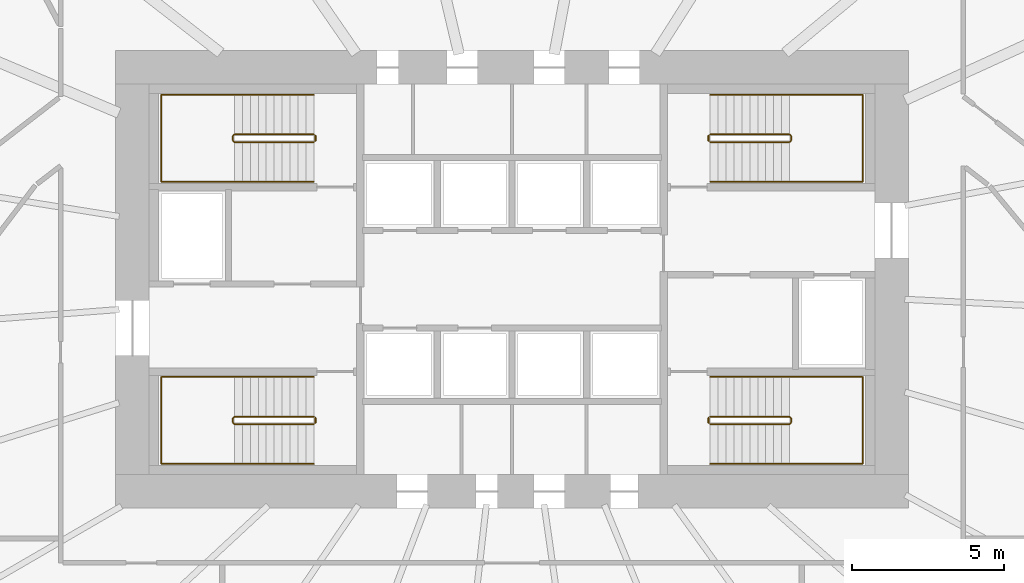
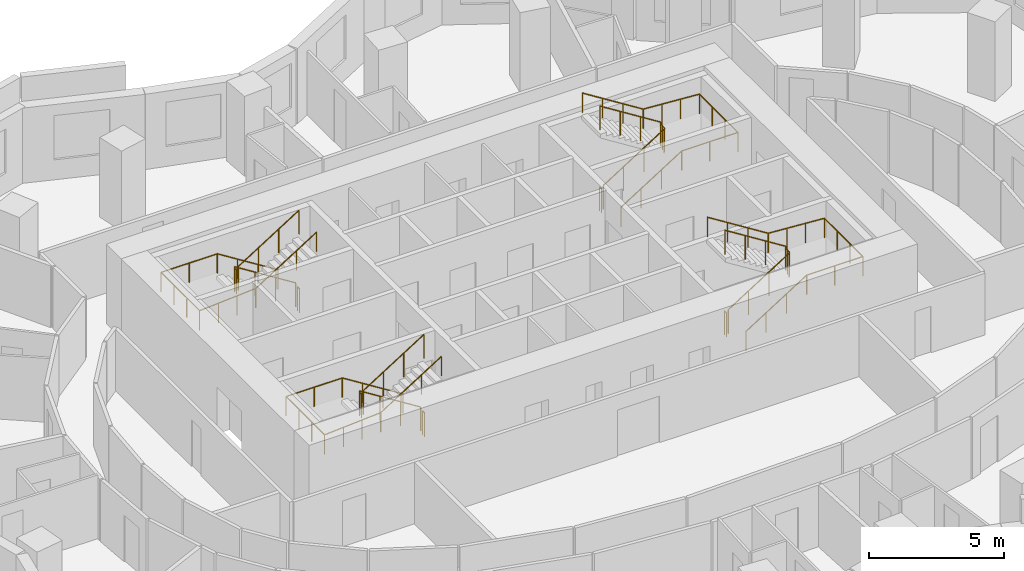
# One storey, part 10 of 10: 12 railings.
"""IFC4 building model written with IfcOpenShell, lengths in metres."""

from ifc_helpers import new_model, si_unit, direction, frame, origin, origin_2d, place, context, subcontext, project, spatial, circle, extrude, material, type_object, element, save


model = new_model("IFC4")

# Units and contexts
model_context = context("Model", 3, precision=1e-05, world=origin(), true_north=direction((0.0, 1.0)))
body_context = subcontext(model_context, "Body", "Model", "MODEL_VIEW")
ifc_project = project(units=[si_unit("LENGTHUNIT", "METRE"), si_unit("AREAUNIT", "SQUARE_METRE"), si_unit("VOLUMEUNIT", "CUBIC_METRE"), si_unit("PLANEANGLEUNIT", "RADIAN"), si_unit("MASSUNIT", "GRAM", prefix="KILO")], contexts=[model_context])

# Site, building, storey
site_placement = place(None, origin())
site = spatial("IfcSite", under=ifc_project, at=site_placement, CompositionType="ELEMENT")
building_placement = place(site_placement, origin())
building = spatial("IfcBuilding", under=site, at=building_placement, Name="Rubra Terraces Tower", CompositionType="ELEMENT")
storey_placement = place(building_placement, frame((0.0, 0.0, 96.0)))
storey = spatial("IfcBuildingStorey", under=building, at=storey_placement, Name="L22", CompositionType="ELEMENT", Elevation=96.0)

# Railings
ifc_material = material(Name="Stainless steel", Category="steel")
railing_type_1 = type_object("IfcRailingType", Name="Core stair guard 1100", PredefinedType="GUARDRAIL", material=ifc_material)
railing_1_placement = place(storey_placement, frame((-6.5, 0.0, 0.16357421875)))
element("IfcRailing", 1, at=railing_1_placement, inside=storey, type_object=railing_type_1, Name="L22 stair S1 guard 1", PredefinedType="GUARDRAIL", context=body_context, shape_type="SweptSolid", body=[
    extrude(circle(Radius=0.02392578125, at=origin_2d()), frame((0.0, 0.0, 1.076171875), z_axis=(-0.846324394277, 0.0, 0.532667832379), x_axis=(0.0, -1.0, 0.0)), (0.0, 0.0, 1.0), 3.072265625),
    extrude(circle(Radius=0.02392578125, at=origin_2d()), frame((-2.60009765625, 0.0, 2.71240234375), z_axis=(-0.705375805398, -0.708833529934, 0.0), x_axis=(0.708833529934, -0.705375805398, 0.0)), (0.0, 0.0, 1.0), 0.070556640625),
    extrude(circle(Radius=0.02392578125, at=origin_2d()), frame((-2.64990234375, -0.050048828125, 2.71240234375), z_axis=(0.0, -1.0, 0.0), x_axis=(1.0, 0.0, 0.0)), (0.0, 0.0, 1.0), 0.14990234375),
    extrude(circle(Radius=0.02392578125, at=origin_2d()), frame((-2.64990234375, -0.199951171875, 2.71240234375), z_axis=(0.279546231943, -0.280916556609, 0.91811752648), x_axis=(0.708833529934, 0.705375805398, 0.0)), (0.0, 0.0, 1.0), 0.17822265625),
    extrude(circle(Radius=0.02392578125, at=origin_2d()), frame((-2.60009765625, -0.25, 2.8759765625), z_axis=(0.846324394277, 0.0, 0.532667832379), x_axis=(0.0, 1.0, 0.0)), (0.0, 0.0, 1.0), 3.072265625),
    extrude(circle(Radius=0.02099609375, at=origin_2d()), origin(), (0.0, 0.0, 1.0), 1.052001953125),
    extrude(circle(Radius=0.02099609375, at=origin_2d()), frame((-0.86669921875, 0.0, 0.54541015625)), (0.0, 0.0, 1.0), 1.052001953125),
    extrude(circle(Radius=0.02099609375, at=origin_2d()), frame((-1.7333984375, 0.0, 1.091064453125)), (0.0, 0.0, 1.0), 1.052001953125),
    extrude(circle(Radius=0.02099609375, at=origin_2d()), frame((-2.60009765625, 0.0, 1.636474609375)), (0.0, 0.0, 1.0), 1.052001953125),
    extrude(circle(Radius=0.02099609375, at=origin_2d()), frame((-2.64990234375, -0.050048828125, 1.636474609375)), (0.0, 0.0, 1.0), 1.052001953125),
    extrude(circle(Radius=0.02099609375, at=origin_2d()), frame((-2.64990234375, -0.199951171875, 1.636474609375)), (0.0, 0.0, 1.0), 1.052001953125),
    extrude(circle(Radius=0.02099609375, at=origin_2d()), frame((-2.60009765625, -0.25, 1.800048828125)), (0.0, 0.0, 1.0), 1.052001953125),
    extrude(circle(Radius=0.02099609375, at=origin_2d()), frame((-1.7333984375, -0.25, 2.345458984375)), (0.0, 0.0, 1.0), 1.052001953125),
    extrude(circle(Radius=0.02099609375, at=origin_2d()), frame((-0.86669921875, -0.25, 2.89111328125)), (0.0, 0.0, 1.0), 1.052001953125),
    extrude(circle(Radius=0.02099609375, at=origin_2d()), frame((0.0, -0.25, 3.4365234375)), (0.0, 0.0, 1.0), 1.052001953125),
])
railing_2_placement = place(storey_placement, frame((-6.449951171875, -0.050048828125, 0.0)))
element("IfcRailing", 2, at=railing_2_placement, inside=storey, type_object=railing_type_1, Name="L22 stair S1 guard 2", PredefinedType="GUARDRAIL", context=body_context, shape_type="SweptSolid", body=[
    extrude(circle(Radius=0.02392578125, at=origin_2d()), frame((0.0, 0.0, 1.076171875), z_axis=(0.0, -1.0, 0.0), x_axis=(1.0, 0.0, 0.0)), (0.0, 0.0, 1.0), 0.14990234375),
    extrude(circle(Radius=0.02099609375, at=origin_2d()), origin(), (0.0, 0.0, 1.0), 1.052001953125),
    extrude(circle(Radius=0.02099609375, at=origin_2d()), frame((0.0, -0.14990234375, 0.0)), (0.0, 0.0, 1.0), 1.052001953125),
])
railing_3_placement = place(storey_placement, frame((-6.5, 9.25, 0.16357421875)))
element("IfcRailing", 3, at=railing_3_placement, inside=storey, type_object=railing_type_1, Name="L22 stair S2 guard 1", PredefinedType="GUARDRAIL", context=body_context, shape_type="SweptSolid", body=[
    extrude(circle(Radius=0.02392578125, at=origin_2d()), frame((0.0, 0.0, 1.076171875), z_axis=(-0.846324394277, 0.0, 0.532667832379), x_axis=(0.0, -1.0, 0.0)), (0.0, 0.0, 1.0), 3.072265625),
    extrude(circle(Radius=0.02392578125, at=origin_2d()), frame((-2.60009765625, 0.0, 2.71240234375), z_axis=(-0.705375805398, -0.708833529934, 0.0), x_axis=(0.708833529934, -0.705375805398, 0.0)), (0.0, 0.0, 1.0), 0.070556640625),
    extrude(circle(Radius=0.02392578125, at=origin_2d()), frame((-2.64990234375, -0.050048828125, 2.71240234375), z_axis=(0.0, -1.0, 0.0), x_axis=(1.0, 0.0, 0.0)), (0.0, 0.0, 1.0), 0.14990234375),
    extrude(circle(Radius=0.02392578125, at=origin_2d()), frame((-2.64990234375, -0.199951171875, 2.71240234375), z_axis=(0.279546231943, -0.280916556609, 0.91811752648), x_axis=(0.708833529934, 0.705375805398, 0.0)), (0.0, 0.0, 1.0), 0.17822265625),
    extrude(circle(Radius=0.02392578125, at=origin_2d()), frame((-2.60009765625, -0.25, 2.8759765625), z_axis=(0.846324394277, 0.0, 0.532667832379), x_axis=(0.0, 1.0, 0.0)), (0.0, 0.0, 1.0), 3.072265625),
    extrude(circle(Radius=0.02099609375, at=origin_2d()), origin(), (0.0, 0.0, 1.0), 1.052001953125),
    extrude(circle(Radius=0.02099609375, at=origin_2d()), frame((-0.86669921875, 0.0, 0.54541015625)), (0.0, 0.0, 1.0), 1.052001953125),
    extrude(circle(Radius=0.02099609375, at=origin_2d()), frame((-1.7333984375, 0.0, 1.091064453125)), (0.0, 0.0, 1.0), 1.052001953125),
    extrude(circle(Radius=0.02099609375, at=origin_2d()), frame((-2.60009765625, 0.0, 1.636474609375)), (0.0, 0.0, 1.0), 1.052001953125),
    extrude(circle(Radius=0.02099609375, at=origin_2d()), frame((-2.64990234375, -0.050048828125, 1.636474609375)), (0.0, 0.0, 1.0), 1.052001953125),
    extrude(circle(Radius=0.02099609375, at=origin_2d()), frame((-2.64990234375, -0.199951171875, 1.636474609375)), (0.0, 0.0, 1.0), 1.052001953125),
    extrude(circle(Radius=0.02099609375, at=origin_2d()), frame((-2.60009765625, -0.25, 1.800048828125)), (0.0, 0.0, 1.0), 1.052001953125),
    extrude(circle(Radius=0.02099609375, at=origin_2d()), frame((-1.7333984375, -0.25, 2.345458984375)), (0.0, 0.0, 1.0), 1.052001953125),
    extrude(circle(Radius=0.02099609375, at=origin_2d()), frame((-0.86669921875, -0.25, 2.89111328125)), (0.0, 0.0, 1.0), 1.052001953125),
    extrude(circle(Radius=0.02099609375, at=origin_2d()), frame((0.0, -0.25, 3.4365234375)), (0.0, 0.0, 1.0), 1.052001953125),
])
railing_4_placement = place(storey_placement, frame((-6.449951171875, 9.199951171875, 0.0)))
element("IfcRailing", 4, at=railing_4_placement, inside=storey, type_object=railing_type_1, Name="L22 stair S2 guard 2", PredefinedType="GUARDRAIL", context=body_context, shape_type="SweptSolid", body=[
    extrude(circle(Radius=0.02392578125, at=origin_2d()), frame((0.0, 0.0, 1.076171875), z_axis=(0.0, -1.0, 0.0), x_axis=(1.0, 0.0, 0.0)), (0.0, 0.0, 1.0), 0.14990234375),
    extrude(circle(Radius=0.02099609375, at=origin_2d()), origin(), (0.0, 0.0, 1.0), 1.052001953125),
    extrude(circle(Radius=0.02099609375, at=origin_2d()), frame((0.0, -0.14990234375, 0.0)), (0.0, 0.0, 1.0), 1.052001953125),
])
railing_5_placement = place(storey_placement, frame((6.5, 9.0, 0.16357421875)))
element("IfcRailing", 5, at=railing_5_placement, inside=storey, type_object=railing_type_1, Name="L22 stair S3 guard 1", PredefinedType="GUARDRAIL", context=body_context, shape_type="SweptSolid", body=[
    extrude(circle(Radius=0.02392578125, at=origin_2d()), frame((0.0, 0.0, 1.076171875), z_axis=(0.846324394277, 0.0, 0.532667832379), x_axis=(0.0, 1.0, 0.0)), (0.0, 0.0, 1.0), 3.072265625),
    extrude(circle(Radius=0.02392578125, at=origin_2d()), frame((2.60009765625, 0.0, 2.71240234375), z_axis=(0.705375805398, 0.708833529934, 0.0), x_axis=(-0.708833529934, 0.705375805398, 0.0)), (0.0, 0.0, 1.0), 0.070556640625),
    extrude(circle(Radius=0.02392578125, at=origin_2d()), frame((2.64990234375, 0.050048828125, 2.71240234375), z_axis=(0.0, 1.0, 0.0), x_axis=(-1.0, 0.0, 0.0)), (0.0, 0.0, 1.0), 0.14990234375),
    extrude(circle(Radius=0.02392578125, at=origin_2d()), frame((2.64990234375, 0.199951171875, 2.71240234375), z_axis=(-0.279546231943, 0.280916556609, 0.91811752648), x_axis=(-0.708833529934, -0.705375805398, 0.0)), (0.0, 0.0, 1.0), 0.17822265625),
    extrude(circle(Radius=0.02392578125, at=origin_2d()), frame((2.60009765625, 0.25, 2.8759765625), z_axis=(-0.846324394277, 0.0, 0.532667832379), x_axis=(0.0, -1.0, 0.0)), (0.0, 0.0, 1.0), 3.072265625),
    extrude(circle(Radius=0.02099609375, at=origin_2d()), origin(), (0.0, 0.0, 1.0), 1.052001953125),
    extrude(circle(Radius=0.02099609375, at=origin_2d()), frame((0.86669921875, 0.0, 0.54541015625)), (0.0, 0.0, 1.0), 1.052001953125),
    extrude(circle(Radius=0.02099609375, at=origin_2d()), frame((1.7333984375, 0.0, 1.091064453125)), (0.0, 0.0, 1.0), 1.052001953125),
    extrude(circle(Radius=0.02099609375, at=origin_2d()), frame((2.60009765625, 0.0, 1.636474609375)), (0.0, 0.0, 1.0), 1.052001953125),
    extrude(circle(Radius=0.02099609375, at=origin_2d()), frame((2.64990234375, 0.050048828125, 1.636474609375)), (0.0, 0.0, 1.0), 1.052001953125),
    extrude(circle(Radius=0.02099609375, at=origin_2d()), frame((2.64990234375, 0.199951171875, 1.636474609375)), (0.0, 0.0, 1.0), 1.052001953125),
    extrude(circle(Radius=0.02099609375, at=origin_2d()), frame((2.60009765625, 0.25, 1.800048828125)), (0.0, 0.0, 1.0), 1.052001953125),
    extrude(circle(Radius=0.02099609375, at=origin_2d()), frame((1.7333984375, 0.25, 2.345458984375)), (0.0, 0.0, 1.0), 1.052001953125),
    extrude(circle(Radius=0.02099609375, at=origin_2d()), frame((0.86669921875, 0.25, 2.89111328125)), (0.0, 0.0, 1.0), 1.052001953125),
    extrude(circle(Radius=0.02099609375, at=origin_2d()), frame((0.0, 0.25, 3.4365234375)), (0.0, 0.0, 1.0), 1.052001953125),
])
railing_6_placement = place(storey_placement, frame((6.449951171875, 9.050048828125, 0.0)))
element("IfcRailing", 6, at=railing_6_placement, inside=storey, type_object=railing_type_1, Name="L22 stair S3 guard 2", PredefinedType="GUARDRAIL", context=body_context, shape_type="SweptSolid", body=[
    extrude(circle(Radius=0.02392578125, at=origin_2d()), frame((0.0, 0.0, 1.076171875), z_axis=(0.0, 1.0, 0.0), x_axis=(-1.0, 0.0, 0.0)), (0.0, 0.0, 1.0), 0.14990234375),
    extrude(circle(Radius=0.02099609375, at=origin_2d()), origin(), (0.0, 0.0, 1.0), 1.052001953125),
    extrude(circle(Radius=0.02099609375, at=origin_2d()), frame((0.0, 0.14990234375, 0.0)), (0.0, 0.0, 1.0), 1.052001953125),
])
railing_7_placement = place(storey_placement, frame((6.5, -0.25, 0.16357421875)))
element("IfcRailing", 7, at=railing_7_placement, inside=storey, type_object=railing_type_1, Name="L22 stair S4 guard 1", PredefinedType="GUARDRAIL", context=body_context, shape_type="SweptSolid", body=[
    extrude(circle(Radius=0.02392578125, at=origin_2d()), frame((0.0, 0.0, 1.076171875), z_axis=(0.846324394277, 0.0, 0.532667832379), x_axis=(0.0, 1.0, 0.0)), (0.0, 0.0, 1.0), 3.072265625),
    extrude(circle(Radius=0.02392578125, at=origin_2d()), frame((2.60009765625, 0.0, 2.71240234375), z_axis=(0.705375805398, 0.708833529934, 0.0), x_axis=(-0.708833529934, 0.705375805398, 0.0)), (0.0, 0.0, 1.0), 0.070556640625),
    extrude(circle(Radius=0.02392578125, at=origin_2d()), frame((2.64990234375, 0.050048828125, 2.71240234375), z_axis=(0.0, 1.0, 0.0), x_axis=(-1.0, 0.0, 0.0)), (0.0, 0.0, 1.0), 0.14990234375),
    extrude(circle(Radius=0.02392578125, at=origin_2d()), frame((2.64990234375, 0.199951171875, 2.71240234375), z_axis=(-0.279546231943, 0.280916556609, 0.91811752648), x_axis=(-0.708833529934, -0.705375805398, 0.0)), (0.0, 0.0, 1.0), 0.17822265625),
    extrude(circle(Radius=0.02392578125, at=origin_2d()), frame((2.60009765625, 0.25, 2.8759765625), z_axis=(-0.846324394277, 0.0, 0.532667832379), x_axis=(0.0, -1.0, 0.0)), (0.0, 0.0, 1.0), 3.072265625),
    extrude(circle(Radius=0.02099609375, at=origin_2d()), origin(), (0.0, 0.0, 1.0), 1.052001953125),
    extrude(circle(Radius=0.02099609375, at=origin_2d()), frame((0.86669921875, 0.0, 0.54541015625)), (0.0, 0.0, 1.0), 1.052001953125),
    extrude(circle(Radius=0.02099609375, at=origin_2d()), frame((1.7333984375, 0.0, 1.091064453125)), (0.0, 0.0, 1.0), 1.052001953125),
    extrude(circle(Radius=0.02099609375, at=origin_2d()), frame((2.60009765625, 0.0, 1.636474609375)), (0.0, 0.0, 1.0), 1.052001953125),
    extrude(circle(Radius=0.02099609375, at=origin_2d()), frame((2.64990234375, 0.050048828125, 1.636474609375)), (0.0, 0.0, 1.0), 1.052001953125),
    extrude(circle(Radius=0.02099609375, at=origin_2d()), frame((2.64990234375, 0.199951171875, 1.636474609375)), (0.0, 0.0, 1.0), 1.052001953125),
    extrude(circle(Radius=0.02099609375, at=origin_2d()), frame((2.60009765625, 0.25, 1.800048828125)), (0.0, 0.0, 1.0), 1.052001953125),
    extrude(circle(Radius=0.02099609375, at=origin_2d()), frame((1.7333984375, 0.25, 2.345458984375)), (0.0, 0.0, 1.0), 1.052001953125),
    extrude(circle(Radius=0.02099609375, at=origin_2d()), frame((0.86669921875, 0.25, 2.89111328125)), (0.0, 0.0, 1.0), 1.052001953125),
    extrude(circle(Radius=0.02099609375, at=origin_2d()), frame((0.0, 0.25, 3.4365234375)), (0.0, 0.0, 1.0), 1.052001953125),
])
railing_8_placement = place(storey_placement, frame((6.449951171875, -0.199951171875, 0.0)))
element("IfcRailing", 8, at=railing_8_placement, inside=storey, type_object=railing_type_1, Name="L22 stair S4 guard 2", PredefinedType="GUARDRAIL", context=body_context, shape_type="SweptSolid", body=[
    extrude(circle(Radius=0.02392578125, at=origin_2d()), frame((0.0, 0.0, 1.076171875), z_axis=(0.0, 1.0, 0.0), x_axis=(-1.0, 0.0, 0.0)), (0.0, 0.0, 1.0), 0.14990234375),
    extrude(circle(Radius=0.02099609375, at=origin_2d()), origin(), (0.0, 0.0, 1.0), 1.052001953125),
    extrude(circle(Radius=0.02099609375, at=origin_2d()), frame((0.0, 0.14990234375, 0.0)), (0.0, 0.0, 1.0), 1.052001953125),
])
railing_type_2 = type_object("IfcRailingType", Name="Core stair handrail 900", PredefinedType="HANDRAIL", material=ifc_material)
railing_9_placement = place(storey_placement, frame((-6.5, 1.300048828125, 0.16357421875)))
element("IfcRailing", 9, at=railing_9_placement, inside=storey, type_object=railing_type_2, Name="L22 stair S1 handrail 1", PredefinedType="HANDRAIL", context=body_context, shape_type="SweptSolid", body=[
    extrude(circle(Radius=0.02392578125, at=origin_2d()), frame((0.0, 0.0, 0.8759765625), z_axis=(-0.846324394277, 0.0, 0.532667832379), x_axis=(0.0, -1.0, 0.0)), (0.0, 0.0, 1.0), 3.072265625),
    extrude(circle(Radius=0.02392578125, at=origin_2d()), frame((-2.60009765625, 0.0, 2.51220703125), z_axis=(-1.0, 0.0, 0.0), x_axis=(0.0, -1.0, 0.0)), (0.0, 0.0, 1.0), 2.39990234375),
    extrude(circle(Radius=0.02392578125, at=origin_2d()), frame((-5.0, 0.0, 2.51220703125), z_axis=(0.0, -1.0, 0.0), x_axis=(1.0, 0.0, 0.0)), (0.0, 0.0, 1.0), 2.85009765625),
    extrude(circle(Radius=0.02392578125, at=origin_2d()), frame((-5.0, -2.85009765625, 2.51220703125), z_axis=(0.997685257876, 0.0, 0.068000928055), x_axis=(0.0, 1.0, 0.0)), (0.0, 0.0, 1.0), 2.405517578125),
    extrude(circle(Radius=0.02392578125, at=origin_2d()), frame((-2.60009765625, -2.85009765625, 2.67578125), z_axis=(0.846324394277, 0.0, 0.532667832379), x_axis=(0.0, 1.0, 0.0)), (0.0, 0.0, 1.0), 3.072265625),
    extrude(circle(Radius=0.02099609375, at=origin_2d()), origin(), (0.0, 0.0, 1.0), 0.851806640625),
    extrude(circle(Radius=0.02099609375, at=origin_2d()), frame((-0.86669921875, 0.0, 0.54541015625)), (0.0, 0.0, 1.0), 0.851806640625),
    extrude(circle(Radius=0.02099609375, at=origin_2d()), frame((-1.7333984375, 0.0, 1.091064453125)), (0.0, 0.0, 1.0), 0.851806640625),
    extrude(circle(Radius=0.02099609375, at=origin_2d()), frame((-2.60009765625, 0.0, 1.636474609375)), (0.0, 0.0, 1.0), 0.851806640625),
    extrude(circle(Radius=0.02099609375, at=origin_2d()), frame((-3.800048828125, 0.0, 1.636474609375)), (0.0, 0.0, 1.0), 0.851806640625),
    extrude(circle(Radius=0.02099609375, at=origin_2d()), frame((-5.0, 0.0, 1.636474609375)), (0.0, 0.0, 1.0), 0.851806640625),
    extrude(circle(Radius=0.02099609375, at=origin_2d()), frame((-5.0, -0.949951171875, 1.636474609375)), (0.0, 0.0, 1.0), 0.851806640625),
    extrude(circle(Radius=0.02099609375, at=origin_2d()), frame((-5.0, -1.900146484375, 1.636474609375)), (0.0, 0.0, 1.0), 0.851806640625),
    extrude(circle(Radius=0.02099609375, at=origin_2d()), frame((-5.0, -2.85009765625, 1.636474609375)), (0.0, 0.0, 1.0), 0.851806640625),
    extrude(circle(Radius=0.02099609375, at=origin_2d()), frame((-4.199951171875, -2.85009765625, 1.69091796875)), (0.0, 0.0, 1.0), 0.851806640625),
    extrude(circle(Radius=0.02099609375, at=origin_2d()), frame((-3.400146484375, -2.85009765625, 1.74560546875)), (0.0, 0.0, 1.0), 0.851806640625),
    extrude(circle(Radius=0.02099609375, at=origin_2d()), frame((-2.60009765625, -2.85009765625, 1.800048828125)), (0.0, 0.0, 1.0), 0.851806640625),
    extrude(circle(Radius=0.02099609375, at=origin_2d()), frame((-1.7333984375, -2.85009765625, 2.345458984375)), (0.0, 0.0, 1.0), 0.851806640625),
    extrude(circle(Radius=0.02099609375, at=origin_2d()), frame((-0.86669921875, -2.85009765625, 2.89111328125)), (0.0, 0.0, 1.0), 0.851806640625),
    extrude(circle(Radius=0.02099609375, at=origin_2d()), frame((0.0, -2.85009765625, 3.4365234375)), (0.0, 0.0, 1.0), 0.851806640625),
])
railing_10_placement = place(storey_placement, frame((-6.5, 10.550048828125, 0.16357421875)))
element("IfcRailing", 10, at=railing_10_placement, inside=storey, type_object=railing_type_2, Name="L22 stair S2 handrail 1", PredefinedType="HANDRAIL", context=body_context, shape_type="SweptSolid", body=[
    extrude(circle(Radius=0.02392578125, at=origin_2d()), frame((0.0, 0.0, 0.8759765625), z_axis=(-0.846324394277, 0.0, 0.532667832379), x_axis=(0.0, -1.0, 0.0)), (0.0, 0.0, 1.0), 3.072265625),
    extrude(circle(Radius=0.02392578125, at=origin_2d()), frame((-2.60009765625, 0.0, 2.51220703125), z_axis=(-1.0, 0.0, 0.0), x_axis=(0.0, -1.0, 0.0)), (0.0, 0.0, 1.0), 2.39990234375),
    extrude(circle(Radius=0.02392578125, at=origin_2d()), frame((-5.0, 0.0, 2.51220703125), z_axis=(0.0, -1.0, 0.0), x_axis=(1.0, 0.0, 0.0)), (0.0, 0.0, 1.0), 2.85009765625),
    extrude(circle(Radius=0.02392578125, at=origin_2d()), frame((-5.0, -2.85009765625, 2.51220703125), z_axis=(0.997685257876, 0.0, 0.068000928055), x_axis=(0.0, 1.0, 0.0)), (0.0, 0.0, 1.0), 2.405517578125),
    extrude(circle(Radius=0.02392578125, at=origin_2d()), frame((-2.60009765625, -2.85009765625, 2.67578125), z_axis=(0.846324394277, 0.0, 0.532667832379), x_axis=(0.0, 1.0, 0.0)), (0.0, 0.0, 1.0), 3.072265625),
    extrude(circle(Radius=0.02099609375, at=origin_2d()), origin(), (0.0, 0.0, 1.0), 0.851806640625),
    extrude(circle(Radius=0.02099609375, at=origin_2d()), frame((-0.86669921875, 0.0, 0.54541015625)), (0.0, 0.0, 1.0), 0.851806640625),
    extrude(circle(Radius=0.02099609375, at=origin_2d()), frame((-1.7333984375, 0.0, 1.091064453125)), (0.0, 0.0, 1.0), 0.851806640625),
    extrude(circle(Radius=0.02099609375, at=origin_2d()), frame((-2.60009765625, 0.0, 1.636474609375)), (0.0, 0.0, 1.0), 0.851806640625),
    extrude(circle(Radius=0.02099609375, at=origin_2d()), frame((-3.800048828125, 0.0, 1.636474609375)), (0.0, 0.0, 1.0), 0.851806640625),
    extrude(circle(Radius=0.02099609375, at=origin_2d()), frame((-5.0, 0.0, 1.636474609375)), (0.0, 0.0, 1.0), 0.851806640625),
    extrude(circle(Radius=0.02099609375, at=origin_2d()), frame((-5.0, -0.949951171875, 1.636474609375)), (0.0, 0.0, 1.0), 0.851806640625),
    extrude(circle(Radius=0.02099609375, at=origin_2d()), frame((-5.0, -1.900146484375, 1.636474609375)), (0.0, 0.0, 1.0), 0.851806640625),
    extrude(circle(Radius=0.02099609375, at=origin_2d()), frame((-5.0, -2.85009765625, 1.636474609375)), (0.0, 0.0, 1.0), 0.851806640625),
    extrude(circle(Radius=0.02099609375, at=origin_2d()), frame((-4.199951171875, -2.85009765625, 1.69091796875)), (0.0, 0.0, 1.0), 0.851806640625),
    extrude(circle(Radius=0.02099609375, at=origin_2d()), frame((-3.400146484375, -2.85009765625, 1.74560546875)), (0.0, 0.0, 1.0), 0.851806640625),
    extrude(circle(Radius=0.02099609375, at=origin_2d()), frame((-2.60009765625, -2.85009765625, 1.800048828125)), (0.0, 0.0, 1.0), 0.851806640625),
    extrude(circle(Radius=0.02099609375, at=origin_2d()), frame((-1.7333984375, -2.85009765625, 2.345458984375)), (0.0, 0.0, 1.0), 0.851806640625),
    extrude(circle(Radius=0.02099609375, at=origin_2d()), frame((-0.86669921875, -2.85009765625, 2.89111328125)), (0.0, 0.0, 1.0), 0.851806640625),
    extrude(circle(Radius=0.02099609375, at=origin_2d()), frame((0.0, -2.85009765625, 3.4365234375)), (0.0, 0.0, 1.0), 0.851806640625),
])
railing_11_placement = place(storey_placement, frame((6.5, 7.699951171875, 0.16357421875)))
element("IfcRailing", 11, at=railing_11_placement, inside=storey, type_object=railing_type_2, Name="L22 stair S3 handrail 1", PredefinedType="HANDRAIL", context=body_context, shape_type="SweptSolid", body=[
    extrude(circle(Radius=0.02392578125, at=origin_2d()), frame((0.0, 0.0, 0.8759765625), z_axis=(0.846324394277, 0.0, 0.532667832379), x_axis=(0.0, 1.0, 0.0)), (0.0, 0.0, 1.0), 3.072265625),
    extrude(circle(Radius=0.02392578125, at=origin_2d()), frame((2.60009765625, 0.0, 2.51220703125), z_axis=(1.0, 0.0, 0.0), x_axis=(0.0, 1.0, 0.0)), (0.0, 0.0, 1.0), 2.39990234375),
    extrude(circle(Radius=0.02392578125, at=origin_2d()), frame((5.0, 0.0, 2.51220703125), z_axis=(0.0, 1.0, 0.0), x_axis=(-1.0, 0.0, 0.0)), (0.0, 0.0, 1.0), 2.85009765625),
    extrude(circle(Radius=0.02392578125, at=origin_2d()), frame((5.0, 2.85009765625, 2.51220703125), z_axis=(-0.997685257876, 0.0, 0.068000928055), x_axis=(0.0, -1.0, 0.0)), (0.0, 0.0, 1.0), 2.405517578125),
    extrude(circle(Radius=0.02392578125, at=origin_2d()), frame((2.60009765625, 2.85009765625, 2.67578125), z_axis=(-0.846324394277, 0.0, 0.532667832379), x_axis=(0.0, -1.0, 0.0)), (0.0, 0.0, 1.0), 3.072265625),
    extrude(circle(Radius=0.02099609375, at=origin_2d()), origin(), (0.0, 0.0, 1.0), 0.851806640625),
    extrude(circle(Radius=0.02099609375, at=origin_2d()), frame((0.86669921875, 0.0, 0.54541015625)), (0.0, 0.0, 1.0), 0.851806640625),
    extrude(circle(Radius=0.02099609375, at=origin_2d()), frame((1.7333984375, 0.0, 1.091064453125)), (0.0, 0.0, 1.0), 0.851806640625),
    extrude(circle(Radius=0.02099609375, at=origin_2d()), frame((2.60009765625, 0.0, 1.636474609375)), (0.0, 0.0, 1.0), 0.851806640625),
    extrude(circle(Radius=0.02099609375, at=origin_2d()), frame((3.800048828125, 0.0, 1.636474609375)), (0.0, 0.0, 1.0), 0.851806640625),
    extrude(circle(Radius=0.02099609375, at=origin_2d()), frame((5.0, 0.0, 1.636474609375)), (0.0, 0.0, 1.0), 0.851806640625),
    extrude(circle(Radius=0.02099609375, at=origin_2d()), frame((5.0, 0.949951171875, 1.636474609375)), (0.0, 0.0, 1.0), 0.851806640625),
    extrude(circle(Radius=0.02099609375, at=origin_2d()), frame((5.0, 1.900146484375, 1.636474609375)), (0.0, 0.0, 1.0), 0.851806640625),
    extrude(circle(Radius=0.02099609375, at=origin_2d()), frame((5.0, 2.85009765625, 1.636474609375)), (0.0, 0.0, 1.0), 0.851806640625),
    extrude(circle(Radius=0.02099609375, at=origin_2d()), frame((4.199951171875, 2.85009765625, 1.69091796875)), (0.0, 0.0, 1.0), 0.851806640625),
    extrude(circle(Radius=0.02099609375, at=origin_2d()), frame((3.400146484375, 2.85009765625, 1.74560546875)), (0.0, 0.0, 1.0), 0.851806640625),
    extrude(circle(Radius=0.02099609375, at=origin_2d()), frame((2.60009765625, 2.85009765625, 1.800048828125)), (0.0, 0.0, 1.0), 0.851806640625),
    extrude(circle(Radius=0.02099609375, at=origin_2d()), frame((1.7333984375, 2.85009765625, 2.345458984375)), (0.0, 0.0, 1.0), 0.851806640625),
    extrude(circle(Radius=0.02099609375, at=origin_2d()), frame((0.86669921875, 2.85009765625, 2.89111328125)), (0.0, 0.0, 1.0), 0.851806640625),
    extrude(circle(Radius=0.02099609375, at=origin_2d()), frame((0.0, 2.85009765625, 3.4365234375)), (0.0, 0.0, 1.0), 0.851806640625),
])
railing_12_placement = place(storey_placement, frame((6.5, -1.550048828125, 0.16357421875)))
element("IfcRailing", 12, at=railing_12_placement, inside=storey, type_object=railing_type_2, Name="L22 stair S4 handrail 1", PredefinedType="HANDRAIL", context=body_context, shape_type="SweptSolid", body=[
    extrude(circle(Radius=0.02392578125, at=origin_2d()), frame((0.0, 0.0, 0.8759765625), z_axis=(0.846324394277, 0.0, 0.532667832379), x_axis=(0.0, 1.0, 0.0)), (0.0, 0.0, 1.0), 3.072265625),
    extrude(circle(Radius=0.02392578125, at=origin_2d()), frame((2.60009765625, 0.0, 2.51220703125), z_axis=(1.0, 0.0, 0.0), x_axis=(0.0, 1.0, 0.0)), (0.0, 0.0, 1.0), 2.39990234375),
    extrude(circle(Radius=0.02392578125, at=origin_2d()), frame((5.0, 0.0, 2.51220703125), z_axis=(0.0, 1.0, 0.0), x_axis=(-1.0, 0.0, 0.0)), (0.0, 0.0, 1.0), 2.85009765625),
    extrude(circle(Radius=0.02392578125, at=origin_2d()), frame((5.0, 2.85009765625, 2.51220703125), z_axis=(-0.997685257876, 0.0, 0.068000928055), x_axis=(0.0, -1.0, 0.0)), (0.0, 0.0, 1.0), 2.405517578125),
    extrude(circle(Radius=0.02392578125, at=origin_2d()), frame((2.60009765625, 2.85009765625, 2.67578125), z_axis=(-0.846324394277, 0.0, 0.532667832379), x_axis=(0.0, -1.0, 0.0)), (0.0, 0.0, 1.0), 3.072265625),
    extrude(circle(Radius=0.02099609375, at=origin_2d()), origin(), (0.0, 0.0, 1.0), 0.851806640625),
    extrude(circle(Radius=0.02099609375, at=origin_2d()), frame((0.86669921875, 0.0, 0.54541015625)), (0.0, 0.0, 1.0), 0.851806640625),
    extrude(circle(Radius=0.02099609375, at=origin_2d()), frame((1.7333984375, 0.0, 1.091064453125)), (0.0, 0.0, 1.0), 0.851806640625),
    extrude(circle(Radius=0.02099609375, at=origin_2d()), frame((2.60009765625, 0.0, 1.636474609375)), (0.0, 0.0, 1.0), 0.851806640625),
    extrude(circle(Radius=0.02099609375, at=origin_2d()), frame((3.800048828125, 0.0, 1.636474609375)), (0.0, 0.0, 1.0), 0.851806640625),
    extrude(circle(Radius=0.02099609375, at=origin_2d()), frame((5.0, 0.0, 1.636474609375)), (0.0, 0.0, 1.0), 0.851806640625),
    extrude(circle(Radius=0.02099609375, at=origin_2d()), frame((5.0, 0.949951171875, 1.636474609375)), (0.0, 0.0, 1.0), 0.851806640625),
    extrude(circle(Radius=0.02099609375, at=origin_2d()), frame((5.0, 1.900146484375, 1.636474609375)), (0.0, 0.0, 1.0), 0.851806640625),
    extrude(circle(Radius=0.02099609375, at=origin_2d()), frame((5.0, 2.85009765625, 1.636474609375)), (0.0, 0.0, 1.0), 0.851806640625),
    extrude(circle(Radius=0.02099609375, at=origin_2d()), frame((4.199951171875, 2.85009765625, 1.69091796875)), (0.0, 0.0, 1.0), 0.851806640625),
    extrude(circle(Radius=0.02099609375, at=origin_2d()), frame((3.400146484375, 2.85009765625, 1.74560546875)), (0.0, 0.0, 1.0), 0.851806640625),
    extrude(circle(Radius=0.02099609375, at=origin_2d()), frame((2.60009765625, 2.85009765625, 1.800048828125)), (0.0, 0.0, 1.0), 0.851806640625),
    extrude(circle(Radius=0.02099609375, at=origin_2d()), frame((1.7333984375, 2.85009765625, 2.345458984375)), (0.0, 0.0, 1.0), 0.851806640625),
    extrude(circle(Radius=0.02099609375, at=origin_2d()), frame((0.86669921875, 2.85009765625, 2.89111328125)), (0.0, 0.0, 1.0), 0.851806640625),
    extrude(circle(Radius=0.02099609375, at=origin_2d()), frame((0.0, 2.85009765625, 3.4365234375)), (0.0, 0.0, 1.0), 0.851806640625),
])

save(model, "model.ifc")
